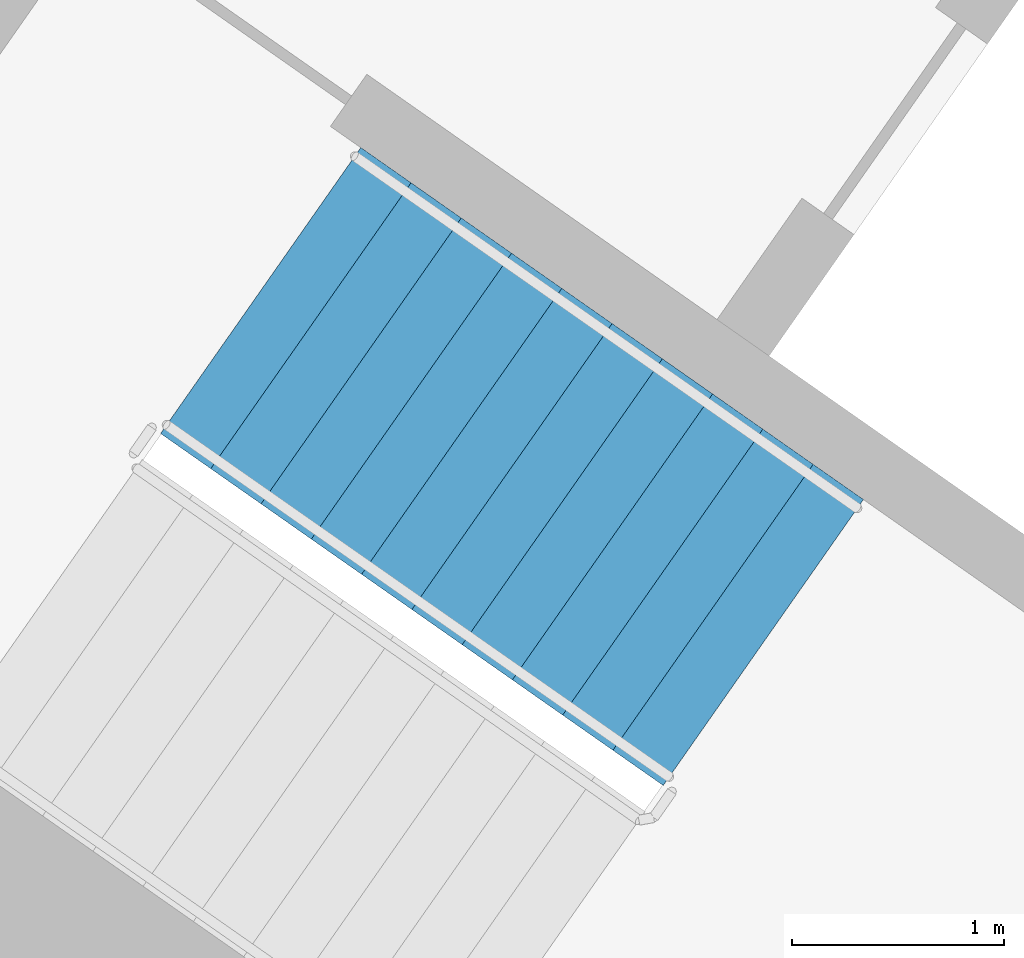
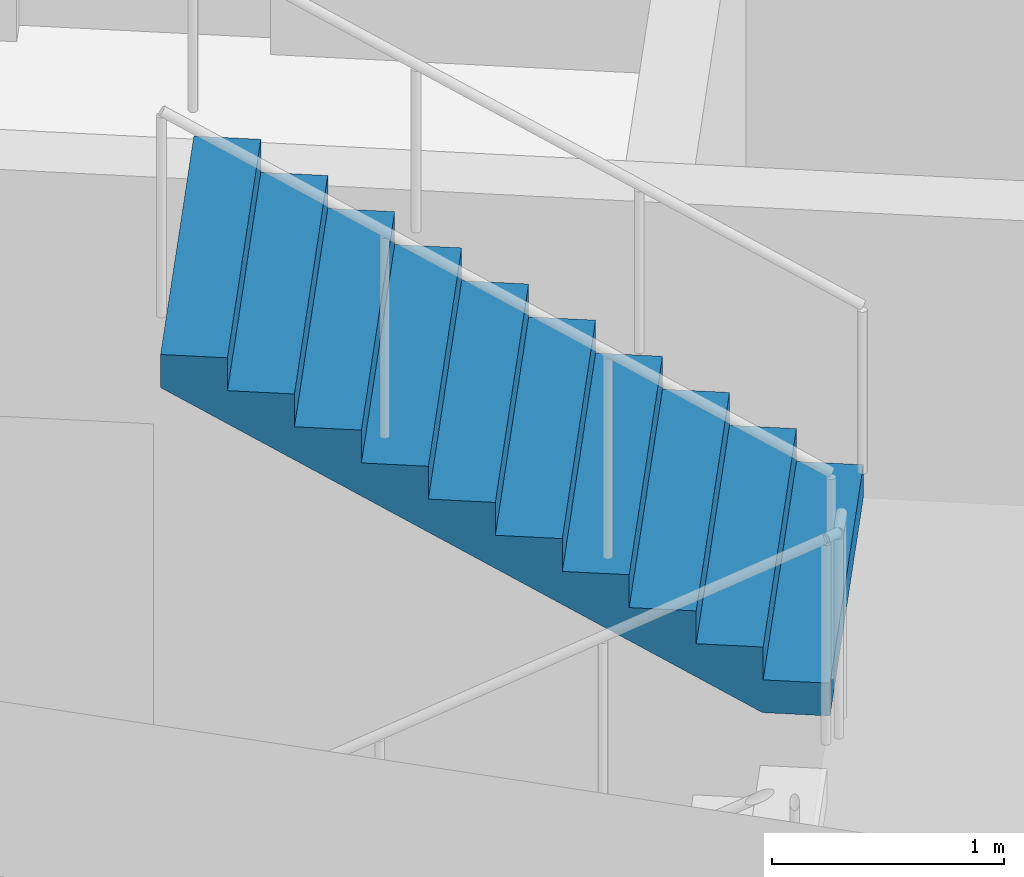
# One storey, part 10 of 28: 1 stair flight, 1 element without a shape of its own.
"""IFC4 building model written with IfcOpenShell, lengths in metres."""

import ifcopenshell
import ifcopenshell.guid

model = None  # the IFC model being written
_history = None  # IfcOwnerHistory: only IFC2X3 demands one
_inside = {}  # id of a spatial element -> (the spatial element, [elements in it])
_under = {}  # id of a project, library or spatial element -> (it, [spatial elements below it])
_declared = {}  # id of a project -> (the project, [libraries it declares])
_typed = {}  # id of a type object -> (the type object, [elements of that type])
_made_of = {}  # id of a material, layer set ... -> (it, [elements and type objects made of it])


def new_model(schema):
    """Start an empty IFC model of exactly this schema.

    Asked for "IFC4X3", IfcOpenShell would pick the latest addendum, in which some entities
    have other attributes; the version numbers below select the first issue.
    IFC2X3 requires an IfcOwnerHistory on every rooted entity: one is made here for all.
    """
    global model, _history
    if schema == "IFC4X3":
        model = ifcopenshell.file(schema_version=(4, 3, 0, 0))
    else:
        model = ifcopenshell.file(schema=schema)
    _inside.clear()
    _under.clear()
    _declared.clear()
    _typed.clear()
    _made_of.clear()
    _history = None
    if model.schema == "IFC2X3":
        org = make("IfcOrganization", Name="unknown")
        user = make(
            "IfcPersonAndOrganization",
            ThePerson=make("IfcPerson", FamilyName="unknown"),
            TheOrganization=org,
        )
        app = make(
            "IfcApplication",
            ApplicationDeveloper=org,
            Version="unknown",
            ApplicationFullName="unknown",
            ApplicationIdentifier="unknown",
        )
        _history = make(
            "IfcOwnerHistory",
            OwningUser=user,
            OwningApplication=app,
            ChangeAction="ADDED",
            CreationDate=0,
        )
    return model


def make(cls, **values):
    """One entity of the class cls with the attributes given. An attribute that is None is left unset."""
    return model.create_entity(
        cls, **{name: value for name, value in values.items() if value is not None}
    )


def rooted(cls, **values):
    """An entity with a GlobalId (a new one), such as an element, a storey or a relation."""
    return make(cls, GlobalId=ifcopenshell.guid.new(), OwnerHistory=_history, **values)


def si_unit(unit_type, name, prefix=None):
    """IfcSIUnit, for example si_unit("LENGTHUNIT", "METRE", prefix="MILLI")."""
    return make("IfcSIUnit", UnitType=unit_type, Prefix=prefix, Name=name)


def assignment(units):
    """IfcUnitAssignment: the units of a project."""
    return None if units is None else make("IfcUnitAssignment", Units=units)


def point(xyz):
    """IfcCartesianPoint."""
    return None if xyz is None else make("IfcCartesianPoint", Coordinates=xyz)


def direction(xyz):
    """IfcDirection."""
    return None if xyz is None else make("IfcDirection", DirectionRatios=xyz)


def frame(location, z_axis=None, x_axis=None):
    """IfcAxis2Placement3D, a coordinate frame: its origin and axes. An axis left out is left unset."""
    return make(
        "IfcAxis2Placement3D",
        Location=point(location),
        Axis=direction(z_axis),
        RefDirection=direction(x_axis),
    )


def origin():
    """The frame at (0, 0, 0) with its axes left unset."""
    return frame((0.0, 0.0, 0.0))


def place(relative_to, where):
    """IfcLocalPlacement: puts the frame where relative to a parent placement (None: the world)."""
    return make(
        "IfcLocalPlacement", PlacementRelTo=relative_to, RelativePlacement=where
    )


def context(
    kind, dimensions, precision=None, world=None, true_north=None, identifier=None
):
    """IfcGeometricRepresentationContext, for example the 3D "Model" context."""
    return make(
        "IfcGeometricRepresentationContext",
        ContextIdentifier=identifier,
        ContextType=kind,
        CoordinateSpaceDimension=dimensions,
        Precision=precision,
        WorldCoordinateSystem=world,
        TrueNorth=true_north,
    )


def subcontext(parent, identifier, kind, view, scale=None):
    """IfcGeometricRepresentationSubContext, for example "Body" below "Model"."""
    return make(
        "IfcGeometricRepresentationSubContext",
        ContextIdentifier=identifier,
        ContextType=kind,
        ParentContext=parent,
        TargetScale=scale,
        TargetView=view,
    )


def project(units=None, contexts=None):
    """IfcProject with its units and contexts."""
    return rooted(
        "IfcProject",
        Name="project",
        RepresentationContexts=contexts,
        UnitsInContext=assignment(units),
    )


def spatial(cls, under=None, at=None, **own):
    """A site, building, storey or space (cls), placed at a placement, below another one or the project."""
    s = rooted(cls, ObjectPlacement=at, **own)
    if under is not None:
        _under.setdefault(under.id(), (under, []))[1].append(s)
    return s


def faces_of(points, faces, orient=None, outer=None):
    """IfcFace entities. A face is a list of loops; a loop is a list of indices into points, from 0.

    orient and outer hold one flag for each loop. By default every Orientation is true, the
    first loop of a face is its IfcFaceOuterBound and the others are IfcFaceBound.
    """
    made = []
    for i, loops in enumerate(faces):
        bounds = []
        for j, loop in enumerate(loops):
            is_outer = j == 0 if outer is None else outer[i][j]
            bounds.append(
                make(
                    "IfcFaceOuterBound" if is_outer else "IfcFaceBound",
                    Bound=make("IfcPolyLoop", Polygon=[points[k] for k in loop]),
                    Orientation=True if orient is None else orient[i][j],
                )
            )
        made.append(make("IfcFace", Bounds=bounds))
    return made


def faceted_brep(points, faces, orient=None, outer=None, voids=None):
    """IfcFacetedBrep: a solid bounded by flat faces; with voids (closed shells), ...WithVoids."""
    shared = [point(p) for p in points]
    hull = make("IfcClosedShell", CfsFaces=faces_of(shared, faces, orient, outer))
    if voids is None:
        return make("IfcFacetedBrep", Outer=hull)
    return make(
        "IfcFacetedBrepWithVoids",
        Outer=hull,
        Voids=[
            make(cls, CfsFaces=faces_of(shared, fs, o, b)) for cls, fs, o, b in voids
        ],
    )


def shape(context_of_items, identifier, shape_type, items):
    """IfcShapeRepresentation: the items that make up one representation, for example the "Body"."""
    return make(
        "IfcShapeRepresentation",
        ContextOfItems=context_of_items,
        RepresentationIdentifier=identifier,
        RepresentationType=shape_type,
        Items=items,
    )


def material(Name=None, Category=None):
    """IfcMaterial."""
    return make("IfcMaterial", Name=Name, Category=Category)


def made_of(thing, what):
    """Note that an element or type object is made of a material, layer set ...; save() writes the relation."""
    if what is not None:
        _made_of.setdefault(what.id(), (what, []))[1].append(thing)
    return thing


def type_object(cls, material=None, **own):
    """A type object (cls), such as IfcWallType, which elements share."""
    return made_of(rooted(cls, **own), material)


def element(
    cls,
    number,
    at=None,
    inside=None,
    cuts=None,
    type_object=None,
    material=None,
    context=None,
    identifier="Body",
    shape_type=None,
    held_by="IfcProductDefinitionShape",
    body=None,
    shapes=None,
    **own,
):
    """One element of the class cls, such as IfcWall. Its Tag is "e" and its number.

    at: its placement. inside: the storey or other place that contains it. cuts: it is an
    opening in that element (IfcRelVoidsElement). A single representation is given by context,
    identifier, shape_type and body (its items); several are given by shapes. held_by: the class
    of the entity that holds the representations. save() writes the other relations.
    """
    e = rooted(cls, Tag="e%d" % number, ObjectPlacement=at, **own)
    if body is not None:
        shapes = [shape(context, identifier, shape_type, body)]
    if shapes is not None:
        e.Representation = make(held_by, Representations=shapes)
    if inside is not None:
        _inside.setdefault(inside.id(), (inside, []))[1].append(e)
    if cuts is not None:
        rooted(
            "IfcRelVoidsElement", RelatingBuildingElement=cuts, RelatedOpeningElement=e
        )
    if type_object is not None:
        _typed.setdefault(type_object.id(), (type_object, []))[1].append(e)
    return made_of(e, material)


def aggregate(whole, parts):
    """IfcRelAggregates: a whole, such as a stair, and the parts it consists of."""
    return rooted("IfcRelAggregates", RelatingObject=whole, RelatedObjects=parts)


def save(model, path):
    """Write the relations noted so far, then the file.

    IfcRelAggregates (storeys below a building ...), IfcRelContainedInSpatialStructure (elements
    in a storey), IfcRelDefinesByType, IfcRelAssociatesMaterial and IfcRelDeclares: one each for
    every whole, place, type object, material and project.
    """
    for whole, parts in _under.values():
        aggregate(whole, parts)
    for where, things in _inside.values():
        rooted(
            "IfcRelContainedInSpatialStructure",
            RelatedElements=things,
            RelatingStructure=where,
        )
    for kind, things in _typed.values():
        rooted("IfcRelDefinesByType", RelatedObjects=things, RelatingType=kind)
    for what, things in _made_of.values():
        rooted("IfcRelAssociatesMaterial", RelatedObjects=things, RelatingMaterial=what)
    for by, libraries in _declared.values():
        rooted("IfcRelDeclares", RelatingContext=by, RelatedDefinitions=libraries)
    model.write(path)


model = new_model("IFC4")

# Units and contexts
model_context = context("Model", 3, precision=1e-05, world=origin(), true_north=direction((0.0, 1.0)))
body_context = subcontext(model_context, "Body", "Model", "MODEL_VIEW")
ifc_project = project(units=[si_unit("LENGTHUNIT", "METRE"), si_unit("AREAUNIT", "SQUARE_METRE"), si_unit("VOLUMEUNIT", "CUBIC_METRE"), si_unit("PLANEANGLEUNIT", "RADIAN"), si_unit("MASSUNIT", "GRAM", prefix="KILO")], contexts=[model_context])

# Site, building, storey
site_placement = place(None, origin())
site = spatial("IfcSite", under=ifc_project, at=site_placement, CompositionType="ELEMENT")
building_placement = place(site_placement, origin())
building = spatial("IfcBuilding", under=site, at=building_placement, Name="Qamariyya Broadcast Tower", CompositionType="ELEMENT")
storey_placement = place(building_placement, frame((0.0, 0.0, 140.5)))
storey = spatial("IfcBuildingStorey", under=building, at=storey_placement, Name="L32", CompositionType="ELEMENT", Elevation=140.5)

# Stair, stair flight
ifc_material = material(Name="Concrete C50/60", Category="concrete")
stair_type = type_object("IfcStairType", Name="Exit stair 22 risers of 173 mm", PredefinedType="HALF_TURN_STAIR", material=ifc_material)
stair_placement = place(storey_placement, origin())
stair = element("IfcStair", 1, at=stair_placement, inside=storey, type_object=stair_type, Name="L32 Stair W1", PredefinedType="HALF_TURN_STAIR")
stair_flight_type = type_object("IfcStairFlightType", Name="Exit stair flight 11 risers of 173 mm", PredefinedType="STRAIGHT", material=ifc_material)
stair_flight_placement = place(storey_placement, frame((-43.660888671875, -57.17138671875, 1.89990234375), z_axis=(0.0, 0.0, 1.0), x_axis=(-0.819152044289, 0.573576436351, 0.0)))
stair_flight = element("IfcStairFlight", 2, at=stair_flight_placement, type_object=stair_flight_type, Name="ST-W1 flight 2", NumberOfRisers=11, NumberOfTreads=10, PredefinedType="STRAIGHT", RiserHeight=0.172727273, TreadLength=0.29, context=body_context, shape_type="Brep", body=[
    faceted_brep([(0.0, 0.824951171875, 0.0), (0.0, 0.824951171875, 0.172607421875), (0.2900390625, 0.824951171875, 0.172607421875), (0.2900390625, 0.824951171875, 0.345458984375), (0.580078125, 0.824951171875, 0.345458984375), (0.580078125, 0.824951171875, 0.51806640625), (0.8701171875, 0.824951171875, 0.51806640625), (0.8701171875, 0.824951171875, 0.69091796875), (1.159912109375, 0.824951171875, 0.69091796875), (1.159912109375, 0.824951171875, 0.863525390625), (1.449951171875, 0.824951171875, 0.863525390625), (1.449951171875, 0.824951171875, 1.036376953125), (1.739990234375, 0.824951171875, 1.036376953125), (1.739990234375, 0.824951171875, 1.208984375), (2.030029296875, 0.824951171875, 1.208984375), (2.030029296875, 0.824951171875, 1.3818359375), (2.320068359375, 0.824951171875, 1.3818359375), (2.320068359375, 0.824951171875, 1.554443359375), (2.610107421875, 0.824951171875, 1.554443359375), (2.610107421875, 0.824951171875, 1.727294921875), (2.89990234375, 0.824951171875, 1.727294921875), (2.89990234375, 0.824951171875, 1.552734375), (0.29296875, 0.824951171875, 0.0), (0.29296875, -0.824951171875, 0.0), (2.89990234375, -0.824951171875, 1.552734375), (2.89990234375, -0.824951171875, 1.727294921875), (2.610107421875, -0.824951171875, 1.727294921875), (2.610107421875, -0.824951171875, 1.554443359375), (2.320068359375, -0.824951171875, 1.554443359375), (2.320068359375, -0.824951171875, 1.3818359375), (2.030029296875, -0.824951171875, 1.3818359375), (2.030029296875, -0.824951171875, 1.208984375), (1.739990234375, -0.824951171875, 1.208984375), (1.739990234375, -0.824951171875, 1.036376953125), (1.449951171875, -0.824951171875, 1.036376953125), (1.449951171875, -0.824951171875, 0.863525390625), (1.159912109375, -0.824951171875, 0.863525390625), (1.159912109375, -0.824951171875, 0.69091796875), (0.8701171875, -0.824951171875, 0.69091796875), (0.8701171875, -0.824951171875, 0.51806640625), (0.580078125, -0.824951171875, 0.51806640625), (0.580078125, -0.824951171875, 0.345458984375), (0.2900390625, -0.824951171875, 0.345458984375), (0.2900390625, -0.824951171875, 0.172607421875), (0.0, -0.824951171875, 0.172607421875), (0.0, -0.824951171875, 0.0), (0.0, 0.10009765625, 0.0), (0.0, 0.086669921875, 0.0), (0.0, 0.0732421875, 0.0), (0.0, 0.06005859375, 0.0), (0.0, 0.046630859375, 0.0), (0.0, 0.033447265625, 0.0), (0.0, 0.02001953125, 0.0), (0.0, 0.006591796875, 0.0), (0.0, -0.006591796875, 0.0), (0.0, -0.02001953125, 0.0), (0.0, -0.033447265625, 0.0), (0.0, -0.046630859375, 0.0), (0.0, -0.06005859375, 0.0), (0.0, -0.0732421875, 0.0), (0.0, -0.086669921875, 0.0), (0.0, -0.10009765625, 0.0), (0.0, -0.10009765625, 0.172607421875), (0.0, -0.086669921875, 0.172607421875), (0.0, -0.0732421875, 0.172607421875), (0.0, -0.06005859375, 0.172607421875), (0.0, -0.046630859375, 0.172607421875), (0.0, -0.033447265625, 0.172607421875), (0.0, -0.02001953125, 0.172607421875), (0.0, -0.006591796875, 0.172607421875), (0.0, 0.006591796875, 0.172607421875), (0.0, 0.02001953125, 0.172607421875), (0.0, 0.033447265625, 0.172607421875), (0.0, 0.046630859375, 0.172607421875), (0.0, 0.06005859375, 0.172607421875), (0.0, 0.0732421875, 0.172607421875), (0.0, 0.086669921875, 0.172607421875), (0.0, 0.10009765625, 0.172607421875), (0.2900390625, -0.10009765625, 0.172607421875), (0.2900390625, -0.086669921875, 0.172607421875), (0.2900390625, -0.0732421875, 0.172607421875), (0.2900390625, -0.06005859375, 0.172607421875), (0.2900390625, -0.046630859375, 0.172607421875), (0.2900390625, -0.033447265625, 0.172607421875), (0.2900390625, -0.02001953125, 0.172607421875), (0.2900390625, -0.006591796875, 0.172607421875), (0.2900390625, 0.006591796875, 0.172607421875), (0.2900390625, 0.02001953125, 0.172607421875), (0.2900390625, 0.033447265625, 0.172607421875), (0.2900390625, 0.046630859375, 0.172607421875), (0.2900390625, 0.06005859375, 0.172607421875), (0.2900390625, 0.0732421875, 0.172607421875), (0.2900390625, 0.086669921875, 0.172607421875), (0.2900390625, 0.10009765625, 0.172607421875), (0.2900390625, -0.10009765625, 0.345458984375), (0.2900390625, -0.086669921875, 0.345458984375), (0.2900390625, -0.0732421875, 0.345458984375), (0.2900390625, -0.06005859375, 0.345458984375), (0.2900390625, -0.046630859375, 0.345458984375), (0.2900390625, -0.033447265625, 0.345458984375), (0.2900390625, -0.02001953125, 0.345458984375), (0.2900390625, -0.006591796875, 0.345458984375), (0.2900390625, 0.006591796875, 0.345458984375), (0.2900390625, 0.02001953125, 0.345458984375), (0.2900390625, 0.033447265625, 0.345458984375), (0.2900390625, 0.046630859375, 0.345458984375), (0.2900390625, 0.06005859375, 0.345458984375), (0.2900390625, 0.0732421875, 0.345458984375), (0.2900390625, 0.086669921875, 0.345458984375), (0.2900390625, 0.10009765625, 0.345458984375), (0.580078125, -0.10009765625, 0.345458984375), (0.580078125, -0.086669921875, 0.345458984375), (0.580078125, -0.0732421875, 0.345458984375), (0.580078125, -0.06005859375, 0.345458984375), (0.580078125, -0.046630859375, 0.345458984375), (0.580078125, -0.033447265625, 0.345458984375), (0.580078125, -0.02001953125, 0.345458984375), (0.580078125, -0.006591796875, 0.345458984375), (0.580078125, 0.006591796875, 0.345458984375), (0.580078125, 0.02001953125, 0.345458984375), (0.580078125, 0.033447265625, 0.345458984375), (0.580078125, 0.046630859375, 0.345458984375), (0.580078125, 0.06005859375, 0.345458984375), (0.580078125, 0.0732421875, 0.345458984375), (0.580078125, 0.086669921875, 0.345458984375), (0.580078125, 0.10009765625, 0.345458984375), (0.580078125, -0.10009765625, 0.51806640625), (0.580078125, -0.086669921875, 0.51806640625), (0.580078125, -0.0732421875, 0.51806640625), (0.580078125, -0.06005859375, 0.51806640625), (0.580078125, -0.046630859375, 0.51806640625), (0.580078125, -0.033447265625, 0.51806640625), (0.580078125, -0.02001953125, 0.51806640625), (0.580078125, -0.006591796875, 0.51806640625), (0.580078125, 0.006591796875, 0.51806640625), (0.580078125, 0.02001953125, 0.51806640625), (0.580078125, 0.033447265625, 0.51806640625), (0.580078125, 0.046630859375, 0.51806640625), (0.580078125, 0.06005859375, 0.51806640625), (0.580078125, 0.0732421875, 0.51806640625), (0.580078125, 0.086669921875, 0.51806640625), (0.580078125, 0.10009765625, 0.51806640625), (0.8701171875, -0.10009765625, 0.51806640625), (0.8701171875, -0.086669921875, 0.51806640625), (0.8701171875, -0.0732421875, 0.51806640625), (0.8701171875, -0.06005859375, 0.51806640625), (0.8701171875, -0.046630859375, 0.51806640625), (0.8701171875, -0.033447265625, 0.51806640625), (0.8701171875, -0.02001953125, 0.51806640625), (0.8701171875, -0.006591796875, 0.51806640625), (0.8701171875, 0.006591796875, 0.51806640625), (0.8701171875, 0.02001953125, 0.51806640625), (0.8701171875, 0.033447265625, 0.51806640625), (0.8701171875, 0.046630859375, 0.51806640625), (0.8701171875, 0.06005859375, 0.51806640625), (0.8701171875, 0.0732421875, 0.51806640625), (0.8701171875, 0.086669921875, 0.51806640625), (0.8701171875, 0.10009765625, 0.51806640625), (0.8701171875, -0.10009765625, 0.69091796875), (0.8701171875, -0.086669921875, 0.69091796875), (0.8701171875, -0.0732421875, 0.69091796875), (0.8701171875, -0.06005859375, 0.69091796875), (0.8701171875, -0.046630859375, 0.69091796875), (0.8701171875, -0.033447265625, 0.69091796875), (0.8701171875, -0.02001953125, 0.69091796875), (0.8701171875, -0.006591796875, 0.69091796875), (0.8701171875, 0.006591796875, 0.69091796875), (0.8701171875, 0.02001953125, 0.69091796875), (0.8701171875, 0.033447265625, 0.69091796875), (0.8701171875, 0.046630859375, 0.69091796875), (0.8701171875, 0.06005859375, 0.69091796875), (0.8701171875, 0.0732421875, 0.69091796875), (0.8701171875, 0.086669921875, 0.69091796875), (0.8701171875, 0.10009765625, 0.69091796875), (1.159912109375, -0.10009765625, 0.69091796875), (1.159912109375, -0.086669921875, 0.69091796875), (1.159912109375, -0.0732421875, 0.69091796875), (1.159912109375, -0.06005859375, 0.69091796875), (1.159912109375, -0.046630859375, 0.69091796875), (1.159912109375, -0.033447265625, 0.69091796875), (1.159912109375, -0.02001953125, 0.69091796875), (1.159912109375, -0.006591796875, 0.69091796875), (1.159912109375, 0.006591796875, 0.69091796875), (1.159912109375, 0.02001953125, 0.69091796875), (1.159912109375, 0.033447265625, 0.69091796875), (1.159912109375, 0.046630859375, 0.69091796875), (1.159912109375, 0.06005859375, 0.69091796875), (1.159912109375, 0.0732421875, 0.69091796875), (1.159912109375, 0.086669921875, 0.69091796875), (1.159912109375, 0.10009765625, 0.69091796875), (1.159912109375, -0.10009765625, 0.863525390625), (1.159912109375, -0.086669921875, 0.863525390625), (1.159912109375, -0.0732421875, 0.863525390625), (1.159912109375, -0.06005859375, 0.863525390625), (1.159912109375, -0.046630859375, 0.863525390625), (1.159912109375, -0.033447265625, 0.863525390625), (1.159912109375, -0.02001953125, 0.863525390625), (1.159912109375, -0.006591796875, 0.863525390625), (1.159912109375, 0.006591796875, 0.863525390625), (1.159912109375, 0.02001953125, 0.863525390625), (1.159912109375, 0.033447265625, 0.863525390625), (1.159912109375, 0.046630859375, 0.863525390625), (1.159912109375, 0.06005859375, 0.863525390625), (1.159912109375, 0.0732421875, 0.863525390625), (1.159912109375, 0.086669921875, 0.863525390625), (1.159912109375, 0.10009765625, 0.863525390625), (1.449951171875, -0.10009765625, 0.863525390625), (1.449951171875, -0.086669921875, 0.863525390625), (1.449951171875, -0.0732421875, 0.863525390625), (1.449951171875, -0.06005859375, 0.863525390625), (1.449951171875, -0.046630859375, 0.863525390625), (1.449951171875, -0.033447265625, 0.863525390625), (1.449951171875, -0.02001953125, 0.863525390625), (1.449951171875, -0.006591796875, 0.863525390625), (1.449951171875, 0.006591796875, 0.863525390625), (1.449951171875, 0.02001953125, 0.863525390625), (1.449951171875, 0.033447265625, 0.863525390625), (1.449951171875, 0.046630859375, 0.863525390625), (1.449951171875, 0.06005859375, 0.863525390625), (1.449951171875, 0.0732421875, 0.863525390625), (1.449951171875, 0.086669921875, 0.863525390625), (1.449951171875, 0.10009765625, 0.863525390625), (1.449951171875, -0.10009765625, 1.036376953125), (1.449951171875, -0.086669921875, 1.036376953125), (1.449951171875, -0.0732421875, 1.036376953125), (1.449951171875, -0.06005859375, 1.036376953125), (1.449951171875, -0.046630859375, 1.036376953125), (1.449951171875, -0.033447265625, 1.036376953125), (1.449951171875, -0.02001953125, 1.036376953125), (1.449951171875, -0.006591796875, 1.036376953125), (1.449951171875, 0.006591796875, 1.036376953125), (1.449951171875, 0.02001953125, 1.036376953125), (1.449951171875, 0.033447265625, 1.036376953125), (1.449951171875, 0.046630859375, 1.036376953125), (1.449951171875, 0.06005859375, 1.036376953125), (1.449951171875, 0.0732421875, 1.036376953125), (1.449951171875, 0.086669921875, 1.036376953125), (1.449951171875, 0.10009765625, 1.036376953125), (1.739990234375, -0.10009765625, 1.036376953125), (1.739990234375, -0.086669921875, 1.036376953125), (1.739990234375, -0.0732421875, 1.036376953125), (1.739990234375, -0.06005859375, 1.036376953125), (1.739990234375, -0.046630859375, 1.036376953125), (1.739990234375, -0.033447265625, 1.036376953125), (1.739990234375, -0.02001953125, 1.036376953125), (1.739990234375, -0.006591796875, 1.036376953125), (1.739990234375, 0.006591796875, 1.036376953125), (1.739990234375, 0.02001953125, 1.036376953125), (1.739990234375, 0.033447265625, 1.036376953125), (1.739990234375, 0.046630859375, 1.036376953125), (1.739990234375, 0.06005859375, 1.036376953125), (1.739990234375, 0.0732421875, 1.036376953125), (1.739990234375, 0.086669921875, 1.036376953125), (1.739990234375, 0.10009765625, 1.036376953125), (1.739990234375, -0.10009765625, 1.208984375), (1.739990234375, -0.086669921875, 1.208984375), (1.739990234375, -0.0732421875, 1.208984375), (1.739990234375, -0.06005859375, 1.208984375), (1.739990234375, -0.046630859375, 1.208984375), (1.739990234375, -0.033447265625, 1.208984375), (1.739990234375, -0.02001953125, 1.208984375), (1.739990234375, -0.006591796875, 1.208984375), (1.739990234375, 0.006591796875, 1.208984375), (1.739990234375, 0.02001953125, 1.208984375), (1.739990234375, 0.033447265625, 1.208984375), (1.739990234375, 0.046630859375, 1.208984375), (1.739990234375, 0.06005859375, 1.208984375), (1.739990234375, 0.0732421875, 1.208984375), (1.739990234375, 0.086669921875, 1.208984375), (1.739990234375, 0.10009765625, 1.208984375), (2.030029296875, -0.10009765625, 1.208984375), (2.030029296875, -0.086669921875, 1.208984375), (2.030029296875, -0.0732421875, 1.208984375), (2.030029296875, -0.06005859375, 1.208984375), (2.030029296875, -0.046630859375, 1.208984375), (2.030029296875, -0.033447265625, 1.208984375), (2.030029296875, -0.02001953125, 1.208984375), (2.030029296875, -0.006591796875, 1.208984375), (2.030029296875, 0.006591796875, 1.208984375), (2.030029296875, 0.02001953125, 1.208984375), (2.030029296875, 0.033447265625, 1.208984375), (2.030029296875, 0.046630859375, 1.208984375), (2.030029296875, 0.06005859375, 1.208984375), (2.030029296875, 0.0732421875, 1.208984375), (2.030029296875, 0.086669921875, 1.208984375), (2.030029296875, 0.10009765625, 1.208984375), (2.030029296875, -0.10009765625, 1.3818359375), (2.030029296875, -0.086669921875, 1.3818359375), (2.030029296875, -0.0732421875, 1.3818359375), (2.030029296875, -0.06005859375, 1.3818359375), (2.030029296875, -0.046630859375, 1.3818359375), (2.030029296875, -0.033447265625, 1.3818359375), (2.030029296875, -0.02001953125, 1.3818359375), (2.030029296875, -0.006591796875, 1.3818359375), (2.030029296875, 0.006591796875, 1.3818359375), (2.030029296875, 0.02001953125, 1.3818359375), (2.030029296875, 0.033447265625, 1.3818359375), (2.030029296875, 0.046630859375, 1.3818359375), (2.030029296875, 0.06005859375, 1.3818359375), (2.030029296875, 0.0732421875, 1.3818359375), (2.030029296875, 0.086669921875, 1.3818359375), (2.030029296875, 0.10009765625, 1.3818359375), (2.320068359375, -0.10009765625, 1.3818359375), (2.320068359375, -0.086669921875, 1.3818359375), (2.320068359375, -0.0732421875, 1.3818359375), (2.320068359375, -0.06005859375, 1.3818359375), (2.320068359375, -0.046630859375, 1.3818359375), (2.320068359375, -0.033447265625, 1.3818359375), (2.320068359375, -0.02001953125, 1.3818359375), (2.320068359375, -0.006591796875, 1.3818359375), (2.320068359375, 0.006591796875, 1.3818359375), (2.320068359375, 0.02001953125, 1.3818359375), (2.320068359375, 0.033447265625, 1.3818359375), (2.320068359375, 0.046630859375, 1.3818359375), (2.320068359375, 0.06005859375, 1.3818359375), (2.320068359375, 0.0732421875, 1.3818359375), (2.320068359375, 0.086669921875, 1.3818359375), (2.320068359375, 0.10009765625, 1.3818359375), (2.320068359375, -0.10009765625, 1.554443359375), (2.320068359375, -0.086669921875, 1.554443359375), (2.320068359375, -0.0732421875, 1.554443359375), (2.320068359375, -0.06005859375, 1.554443359375), (2.320068359375, -0.046630859375, 1.554443359375), (2.320068359375, -0.033447265625, 1.554443359375), (2.320068359375, -0.02001953125, 1.554443359375), (2.320068359375, -0.006591796875, 1.554443359375), (2.320068359375, 0.006591796875, 1.554443359375), (2.320068359375, 0.02001953125, 1.554443359375), (2.320068359375, 0.033447265625, 1.554443359375), (2.320068359375, 0.046630859375, 1.554443359375), (2.320068359375, 0.06005859375, 1.554443359375), (2.320068359375, 0.0732421875, 1.554443359375), (2.320068359375, 0.086669921875, 1.554443359375), (2.320068359375, 0.10009765625, 1.554443359375), (2.610107421875, -0.10009765625, 1.554443359375), (2.610107421875, -0.086669921875, 1.554443359375), (2.610107421875, -0.0732421875, 1.554443359375), (2.610107421875, -0.06005859375, 1.554443359375), (2.610107421875, -0.046630859375, 1.554443359375), (2.610107421875, -0.033447265625, 1.554443359375), (2.610107421875, -0.02001953125, 1.554443359375), (2.610107421875, -0.006591796875, 1.554443359375), (2.610107421875, 0.006591796875, 1.554443359375), (2.610107421875, 0.02001953125, 1.554443359375), (2.610107421875, 0.033447265625, 1.554443359375), (2.610107421875, 0.046630859375, 1.554443359375), (2.610107421875, 0.06005859375, 1.554443359375), (2.610107421875, 0.0732421875, 1.554443359375), (2.610107421875, 0.086669921875, 1.554443359375), (2.610107421875, 0.10009765625, 1.554443359375), (2.610107421875, -0.10009765625, 1.727294921875), (2.610107421875, -0.086669921875, 1.727294921875), (2.610107421875, -0.0732421875, 1.727294921875), (2.610107421875, -0.06005859375, 1.727294921875), (2.610107421875, -0.046630859375, 1.727294921875), (2.610107421875, -0.033447265625, 1.727294921875), (2.610107421875, -0.02001953125, 1.727294921875), (2.610107421875, -0.006591796875, 1.727294921875), (2.610107421875, 0.006591796875, 1.727294921875), (2.610107421875, 0.02001953125, 1.727294921875), (2.610107421875, 0.033447265625, 1.727294921875), (2.610107421875, 0.046630859375, 1.727294921875), (2.610107421875, 0.06005859375, 1.727294921875), (2.610107421875, 0.0732421875, 1.727294921875), (2.610107421875, 0.086669921875, 1.727294921875), (2.610107421875, 0.10009765625, 1.727294921875), (2.89990234375, -0.10009765625, 1.727294921875), (2.89990234375, -0.086669921875, 1.727294921875), (2.89990234375, -0.0732421875, 1.727294921875), (2.89990234375, -0.06005859375, 1.727294921875), (2.89990234375, -0.046630859375, 1.727294921875), (2.89990234375, -0.033447265625, 1.727294921875), (2.89990234375, -0.02001953125, 1.727294921875), (2.89990234375, -0.006591796875, 1.727294921875), (2.89990234375, 0.006591796875, 1.727294921875), (2.89990234375, 0.02001953125, 1.727294921875), (2.89990234375, 0.033447265625, 1.727294921875), (2.89990234375, 0.046630859375, 1.727294921875), (2.89990234375, 0.06005859375, 1.727294921875), (2.89990234375, 0.0732421875, 1.727294921875), (2.89990234375, 0.086669921875, 1.727294921875), (2.89990234375, 0.10009765625, 1.727294921875), (2.89990234375, -0.10009765625, 1.552734375), (2.89990234375, -0.086669921875, 1.552734375), (2.89990234375, -0.0732421875, 1.552734375), (2.89990234375, -0.06005859375, 1.552734375), (2.89990234375, -0.046630859375, 1.552734375), (2.89990234375, -0.033447265625, 1.552734375), (2.89990234375, -0.02001953125, 1.552734375), (2.89990234375, -0.006591796875, 1.552734375), (2.89990234375, 0.006591796875, 1.552734375), (2.89990234375, 0.02001953125, 1.552734375), (2.89990234375, 0.033447265625, 1.552734375), (2.89990234375, 0.046630859375, 1.552734375), (2.89990234375, 0.06005859375, 1.552734375), (2.89990234375, 0.0732421875, 1.552734375), (2.89990234375, 0.086669921875, 1.552734375), (2.89990234375, 0.10009765625, 1.552734375), (0.29296875, -0.10009765625, 0.0), (0.29296875, -0.086669921875, 0.0), (0.29296875, -0.0732421875, 0.0), (0.29296875, -0.06005859375, 0.0), (0.29296875, -0.046630859375, 0.0), (0.29296875, -0.033447265625, 0.0), (0.29296875, -0.02001953125, 0.0), (0.29296875, -0.006591796875, 0.0), (0.29296875, 0.006591796875, 0.0), (0.29296875, 0.02001953125, 0.0), (0.29296875, 0.033447265625, 0.0), (0.29296875, 0.046630859375, 0.0), (0.29296875, 0.06005859375, 0.0), (0.29296875, 0.0732421875, 0.0), (0.29296875, 0.086669921875, 0.0), (0.29296875, 0.10009765625, 0.0)], [[[0, 1, 2, 3, 4, 5, 6, 7, 8, 9, 10, 11, 12, 13, 14, 15, 16, 17, 18, 19, 20, 21, 22]], [[23, 24, 25, 26, 27, 28, 29, 30, 31, 32, 33, 34, 35, 36, 37, 38, 39, 40, 41, 42, 43, 44, 45]], [[0, 46, 47, 48, 49, 50, 51, 52, 53, 54, 55, 56, 57, 58, 59, 60, 61, 45, 44, 62, 63, 64, 65, 66, 67, 68, 69, 70, 71, 72, 73, 74, 75, 76, 77, 1]], [[1, 77, 76, 75, 74, 73, 72, 71, 70, 69, 68, 67, 66, 65, 64, 63, 62, 44, 43, 78, 79, 80, 81, 82, 83, 84, 85, 86, 87, 88, 89, 90, 91, 92, 93, 2]], [[2, 93, 92, 91, 90, 89, 88, 87, 86, 85, 84, 83, 82, 81, 80, 79, 78, 43, 42, 94, 95, 96, 97, 98, 99, 100, 101, 102, 103, 104, 105, 106, 107, 108, 109, 3]], [[3, 109, 108, 107, 106, 105, 104, 103, 102, 101, 100, 99, 98, 97, 96, 95, 94, 42, 41, 110, 111, 112, 113, 114, 115, 116, 117, 118, 119, 120, 121, 122, 123, 124, 125, 4]], [[4, 125, 124, 123, 122, 121, 120, 119, 118, 117, 116, 115, 114, 113, 112, 111, 110, 41, 40, 126, 127, 128, 129, 130, 131, 132, 133, 134, 135, 136, 137, 138, 139, 140, 141, 5]], [[5, 141, 140, 139, 138, 137, 136, 135, 134, 133, 132, 131, 130, 129, 128, 127, 126, 40, 39, 142, 143, 144, 145, 146, 147, 148, 149, 150, 151, 152, 153, 154, 155, 156, 157, 6]], [[6, 157, 156, 155, 154, 153, 152, 151, 150, 149, 148, 147, 146, 145, 144, 143, 142, 39, 38, 158, 159, 160, 161, 162, 163, 164, 165, 166, 167, 168, 169, 170, 171, 172, 173, 7]], [[7, 173, 172, 171, 170, 169, 168, 167, 166, 165, 164, 163, 162, 161, 160, 159, 158, 38, 37, 174, 175, 176, 177, 178, 179, 180, 181, 182, 183, 184, 185, 186, 187, 188, 189, 8]], [[8, 189, 188, 187, 186, 185, 184, 183, 182, 181, 180, 179, 178, 177, 176, 175, 174, 37, 36, 190, 191, 192, 193, 194, 195, 196, 197, 198, 199, 200, 201, 202, 203, 204, 205, 9]], [[9, 205, 204, 203, 202, 201, 200, 199, 198, 197, 196, 195, 194, 193, 192, 191, 190, 36, 35, 206, 207, 208, 209, 210, 211, 212, 213, 214, 215, 216, 217, 218, 219, 220, 221, 10]], [[10, 221, 220, 219, 218, 217, 216, 215, 214, 213, 212, 211, 210, 209, 208, 207, 206, 35, 34, 222, 223, 224, 225, 226, 227, 228, 229, 230, 231, 232, 233, 234, 235, 236, 237, 11]], [[11, 237, 236, 235, 234, 233, 232, 231, 230, 229, 228, 227, 226, 225, 224, 223, 222, 34, 33, 238, 239, 240, 241, 242, 243, 244, 245, 246, 247, 248, 249, 250, 251, 252, 253, 12]], [[12, 253, 252, 251, 250, 249, 248, 247, 246, 245, 244, 243, 242, 241, 240, 239, 238, 33, 32, 254, 255, 256, 257, 258, 259, 260, 261, 262, 263, 264, 265, 266, 267, 268, 269, 13]], [[13, 269, 268, 267, 266, 265, 264, 263, 262, 261, 260, 259, 258, 257, 256, 255, 254, 32, 31, 270, 271, 272, 273, 274, 275, 276, 277, 278, 279, 280, 281, 282, 283, 284, 285, 14]], [[14, 285, 284, 283, 282, 281, 280, 279, 278, 277, 276, 275, 274, 273, 272, 271, 270, 31, 30, 286, 287, 288, 289, 290, 291, 292, 293, 294, 295, 296, 297, 298, 299, 300, 301, 15]], [[15, 301, 300, 299, 298, 297, 296, 295, 294, 293, 292, 291, 290, 289, 288, 287, 286, 30, 29, 302, 303, 304, 305, 306, 307, 308, 309, 310, 311, 312, 313, 314, 315, 316, 317, 16]], [[16, 317, 316, 315, 314, 313, 312, 311, 310, 309, 308, 307, 306, 305, 304, 303, 302, 29, 28, 318, 319, 320, 321, 322, 323, 324, 325, 326, 327, 328, 329, 330, 331, 332, 333, 17]], [[17, 333, 332, 331, 330, 329, 328, 327, 326, 325, 324, 323, 322, 321, 320, 319, 318, 28, 27, 334, 335, 336, 337, 338, 339, 340, 341, 342, 343, 344, 345, 346, 347, 348, 349, 18]], [[18, 349, 348, 347, 346, 345, 344, 343, 342, 341, 340, 339, 338, 337, 336, 335, 334, 27, 26, 350, 351, 352, 353, 354, 355, 356, 357, 358, 359, 360, 361, 362, 363, 364, 365, 19]], [[19, 365, 364, 363, 362, 361, 360, 359, 358, 357, 356, 355, 354, 353, 352, 351, 350, 26, 25, 366, 367, 368, 369, 370, 371, 372, 373, 374, 375, 376, 377, 378, 379, 380, 381, 20]], [[20, 381, 380, 379, 378, 377, 376, 375, 374, 373, 372, 371, 370, 369, 368, 367, 366, 25, 24, 382, 383, 384, 385, 386, 387, 388, 389, 390, 391, 392, 393, 394, 395, 396, 397, 21]], [[21, 397, 396, 395, 394, 393, 392, 391, 390, 389, 388, 387, 386, 385, 384, 383, 382, 24, 23, 398, 399, 400, 401, 402, 403, 404, 405, 406, 407, 408, 409, 410, 411, 412, 413, 22]], [[22, 413, 412, 411, 410, 409, 408, 407, 406, 405, 404, 403, 402, 401, 400, 399, 398, 23, 45, 61, 60, 59, 58, 57, 56, 55, 54, 53, 52, 51, 50, 49, 48, 47, 46, 0]]]),
])
aggregate(stair, [stair_flight])

save(model, "model.ifc")
